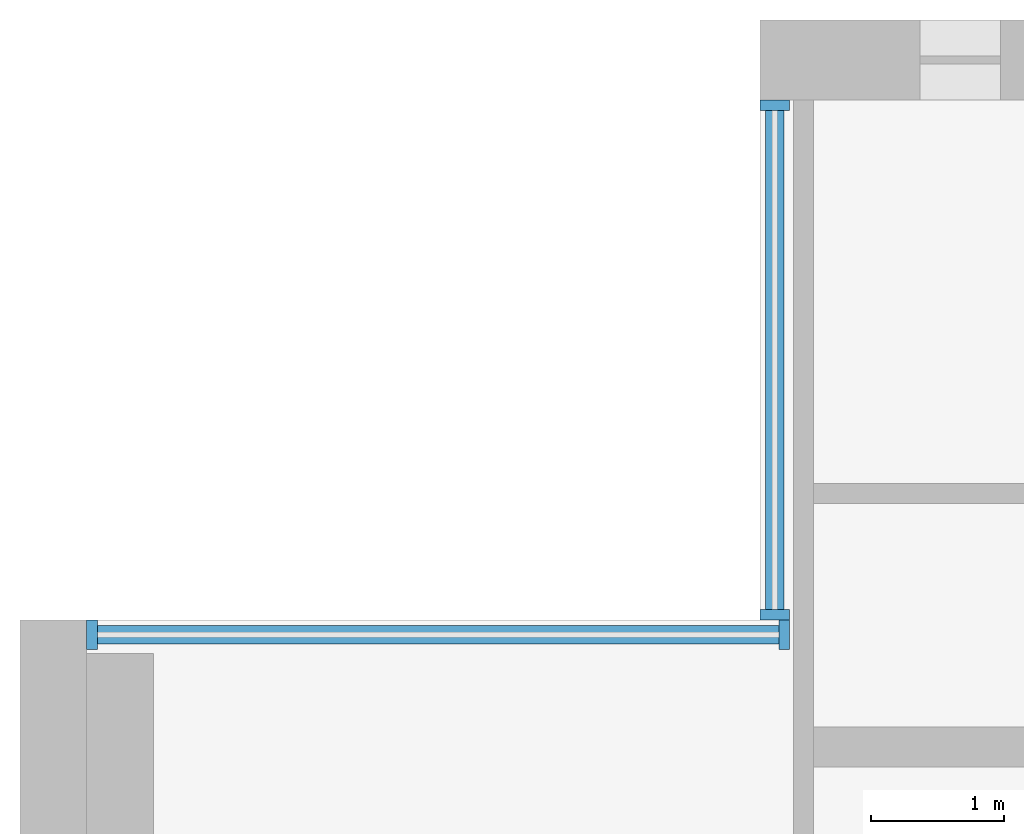
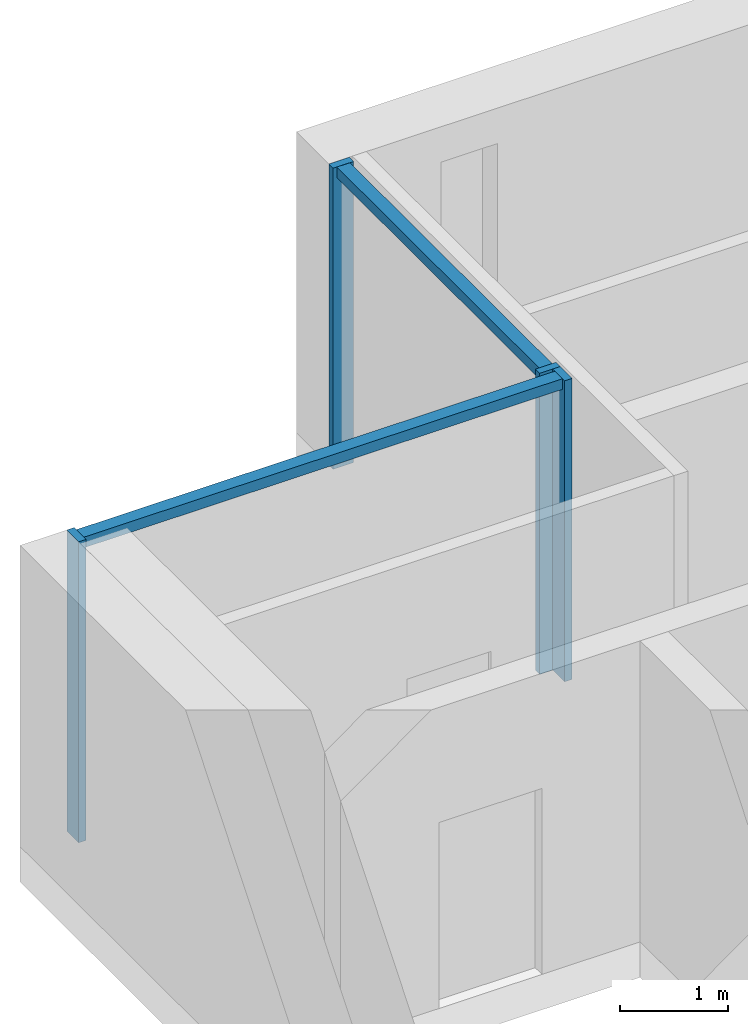
# One storey, part 4 of 14: 6 members, 2 elements without a shape of their own.
"""IFC4 building model written with IfcOpenShell, lengths in metres."""

import ifcopenshell
import ifcopenshell.guid

model = None  # the IFC model being written
_history = None  # IfcOwnerHistory: only IFC2X3 demands one
_inside = {}  # id of a spatial element -> (the spatial element, [elements in it])
_under = {}  # id of a project, library or spatial element -> (it, [spatial elements below it])
_declared = {}  # id of a project -> (the project, [libraries it declares])
_typed = {}  # id of a type object -> (the type object, [elements of that type])
_made_of = {}  # id of a material, layer set ... -> (it, [elements and type objects made of it])


def new_model(schema):
    """Start an empty IFC model of exactly this schema.

    Asked for "IFC4X3", IfcOpenShell would pick the latest addendum, in which some entities
    have other attributes; the version numbers below select the first issue.
    IFC2X3 requires an IfcOwnerHistory on every rooted entity: one is made here for all.
    """
    global model, _history
    if schema == "IFC4X3":
        model = ifcopenshell.file(schema_version=(4, 3, 0, 0))
    else:
        model = ifcopenshell.file(schema=schema)
    _inside.clear()
    _under.clear()
    _declared.clear()
    _typed.clear()
    _made_of.clear()
    _history = None
    if model.schema == "IFC2X3":
        org = make("IfcOrganization", Name="unknown")
        user = make(
            "IfcPersonAndOrganization",
            ThePerson=make("IfcPerson", FamilyName="unknown"),
            TheOrganization=org,
        )
        app = make(
            "IfcApplication",
            ApplicationDeveloper=org,
            Version="unknown",
            ApplicationFullName="unknown",
            ApplicationIdentifier="unknown",
        )
        _history = make(
            "IfcOwnerHistory",
            OwningUser=user,
            OwningApplication=app,
            ChangeAction="ADDED",
            CreationDate=0,
        )
    return model


def make(cls, **values):
    """One entity of the class cls with the attributes given. An attribute that is None is left unset."""
    return model.create_entity(
        cls, **{name: value for name, value in values.items() if value is not None}
    )


def rooted(cls, **values):
    """An entity with a GlobalId (a new one), such as an element, a storey or a relation."""
    return make(cls, GlobalId=ifcopenshell.guid.new(), OwnerHistory=_history, **values)


def si_unit(unit_type, name, prefix=None):
    """IfcSIUnit, for example si_unit("LENGTHUNIT", "METRE", prefix="MILLI")."""
    return make("IfcSIUnit", UnitType=unit_type, Prefix=prefix, Name=name)


def assignment(units):
    """IfcUnitAssignment: the units of a project."""
    return None if units is None else make("IfcUnitAssignment", Units=units)


def point(xyz):
    """IfcCartesianPoint."""
    return None if xyz is None else make("IfcCartesianPoint", Coordinates=xyz)


def direction(xyz):
    """IfcDirection."""
    return None if xyz is None else make("IfcDirection", DirectionRatios=xyz)


def frame(location, z_axis=None, x_axis=None):
    """IfcAxis2Placement3D, a coordinate frame: its origin and axes. An axis left out is left unset."""
    return make(
        "IfcAxis2Placement3D",
        Location=point(location),
        Axis=direction(z_axis),
        RefDirection=direction(x_axis),
    )


def frame_2d(location, x_axis=None):
    """IfcAxis2Placement2D, a coordinate frame in the plane: its origin and x axis."""
    return make(
        "IfcAxis2Placement2D", Location=point(location), RefDirection=direction(x_axis)
    )


def origin():
    """The frame at (0, 0, 0) with its axes left unset."""
    return frame((0.0, 0.0, 0.0))


def origin_2d():
    """The frame at (0, 0) in the plane with its x axis left unset."""
    return frame_2d((0.0, 0.0))


def place(relative_to, where):
    """IfcLocalPlacement: puts the frame where relative to a parent placement (None: the world)."""
    return make(
        "IfcLocalPlacement", PlacementRelTo=relative_to, RelativePlacement=where
    )


def context(
    kind, dimensions, precision=None, world=None, true_north=None, identifier=None
):
    """IfcGeometricRepresentationContext, for example the 3D "Model" context."""
    return make(
        "IfcGeometricRepresentationContext",
        ContextIdentifier=identifier,
        ContextType=kind,
        CoordinateSpaceDimension=dimensions,
        Precision=precision,
        WorldCoordinateSystem=world,
        TrueNorth=true_north,
    )


def subcontext(parent, identifier, kind, view, scale=None):
    """IfcGeometricRepresentationSubContext, for example "Body" below "Model"."""
    return make(
        "IfcGeometricRepresentationSubContext",
        ContextIdentifier=identifier,
        ContextType=kind,
        ParentContext=parent,
        TargetScale=scale,
        TargetView=view,
    )


def project(units=None, contexts=None):
    """IfcProject with its units and contexts."""
    return rooted(
        "IfcProject",
        Name="project",
        RepresentationContexts=contexts,
        UnitsInContext=assignment(units),
    )


def spatial(cls, under=None, at=None, **own):
    """A site, building, storey or space (cls), placed at a placement, below another one or the project."""
    s = rooted(cls, ObjectPlacement=at, **own)
    if under is not None:
        _under.setdefault(under.id(), (under, []))[1].append(s)
    return s


def profile(cls, at=None, kind="AREA", **sizes):
    """A parametric profile (cls). Its sizes go by their IFC names, for example OverallWidth=200.0."""
    return make(cls, ProfileType=kind, Position=at, **sizes)


def rectangle(**sizes):
    """IfcRectangleProfileDef."""
    return profile("IfcRectangleProfileDef", **sizes)


def extrude(swept, where, along, depth):
    """IfcExtrudedAreaSolid: the profile swept, set in the frame where, extruded along a direction by depth."""
    return make(
        "IfcExtrudedAreaSolid",
        SweptArea=swept,
        Position=where,
        ExtrudedDirection=direction(along),
        Depth=depth,
    )


def shape(context_of_items, identifier, shape_type, items):
    """IfcShapeRepresentation: the items that make up one representation, for example the "Body"."""
    return make(
        "IfcShapeRepresentation",
        ContextOfItems=context_of_items,
        RepresentationIdentifier=identifier,
        RepresentationType=shape_type,
        Items=items,
    )


def material(Name=None, Category=None):
    """IfcMaterial."""
    return make("IfcMaterial", Name=Name, Category=Category)


def material_profile(
    of_material, cross_section, Name=None, Category=None, Priority=None
):
    """IfcMaterialProfile: a cross section and its material."""
    return make(
        "IfcMaterialProfile",
        Name=Name,
        Material=of_material,
        Profile=cross_section,
        Priority=Priority,
        Category=Category,
    )


def profile_set(profiles, Name=None, composite=None):
    """IfcMaterialProfileSet."""
    return make(
        "IfcMaterialProfileSet",
        Name=Name,
        MaterialProfiles=profiles,
        CompositeProfile=composite,
    )


def made_of(thing, what):
    """Note that an element or type object is made of a material, layer set ...; save() writes the relation."""
    if what is not None:
        _made_of.setdefault(what.id(), (what, []))[1].append(thing)
    return thing


def type_object(cls, material=None, **own):
    """A type object (cls), such as IfcWallType, which elements share."""
    return made_of(rooted(cls, **own), material)


def element(
    cls,
    number,
    at=None,
    inside=None,
    cuts=None,
    type_object=None,
    material=None,
    context=None,
    identifier="Body",
    shape_type=None,
    held_by="IfcProductDefinitionShape",
    body=None,
    shapes=None,
    **own,
):
    """One element of the class cls, such as IfcWall. Its Tag is "e" and its number.

    at: its placement. inside: the storey or other place that contains it. cuts: it is an
    opening in that element (IfcRelVoidsElement). A single representation is given by context,
    identifier, shape_type and body (its items); several are given by shapes. held_by: the class
    of the entity that holds the representations. save() writes the other relations.
    """
    e = rooted(cls, Tag="e%d" % number, ObjectPlacement=at, **own)
    if body is not None:
        shapes = [shape(context, identifier, shape_type, body)]
    if shapes is not None:
        e.Representation = make(held_by, Representations=shapes)
    if inside is not None:
        _inside.setdefault(inside.id(), (inside, []))[1].append(e)
    if cuts is not None:
        rooted(
            "IfcRelVoidsElement", RelatingBuildingElement=cuts, RelatedOpeningElement=e
        )
    if type_object is not None:
        _typed.setdefault(type_object.id(), (type_object, []))[1].append(e)
    return made_of(e, material)


def aggregate(whole, parts):
    """IfcRelAggregates: a whole, such as a stair, and the parts it consists of."""
    return rooted("IfcRelAggregates", RelatingObject=whole, RelatedObjects=parts)


def save(model, path):
    """Write the relations noted so far, then the file.

    IfcRelAggregates (storeys below a building ...), IfcRelContainedInSpatialStructure (elements
    in a storey), IfcRelDefinesByType, IfcRelAssociatesMaterial and IfcRelDeclares: one each for
    every whole, place, type object, material and project.
    """
    for whole, parts in _under.values():
        aggregate(whole, parts)
    for where, things in _inside.values():
        rooted(
            "IfcRelContainedInSpatialStructure",
            RelatedElements=things,
            RelatingStructure=where,
        )
    for kind, things in _typed.values():
        rooted("IfcRelDefinesByType", RelatedObjects=things, RelatingType=kind)
    for what, things in _made_of.values():
        rooted("IfcRelAssociatesMaterial", RelatedObjects=things, RelatingMaterial=what)
    for by, libraries in _declared.values():
        rooted("IfcRelDeclares", RelatingContext=by, RelatedDefinitions=libraries)
    model.write(path)


model = new_model("IFC4")

# Units and contexts
model_context = context("Model", 3, precision=1e-05, world=origin(), true_north=direction((0.0, 1.0)))
body_context = subcontext(model_context, "Body", "Model", "MODEL_VIEW")
ifc_project = project(units=[si_unit("LENGTHUNIT", "METRE"), si_unit("AREAUNIT", "SQUARE_METRE"), si_unit("VOLUMEUNIT", "CUBIC_METRE"), si_unit("PLANEANGLEUNIT", "RADIAN"), si_unit("MASSUNIT", "GRAM", prefix="KILO")], contexts=[model_context])

# Site, building, storey
site_placement = place(None, origin())
site = spatial("IfcSite", under=ifc_project, at=site_placement, CompositionType="ELEMENT")
building_placement = place(site_placement, origin())
building = spatial("IfcBuilding", under=site, at=building_placement, Name="Calvaro Tower", CompositionType="ELEMENT")
storey_placement = place(building_placement, frame((0.0, 0.0, 235.550048828125)))
storey = spatial("IfcBuildingStorey", under=building, at=storey_placement, Name="L59", CompositionType="ELEMENT", Elevation=235.550048828125)

# Curtain wall, members
ifc_material_1 = material(Name="Anodised aluminium", Category="aluminium")
curtain_wall_type = type_object("IfcCurtainWallType", Name="Executive curtain wall", PredefinedType="NOTDEFINED", material=ifc_material_1)
curtain_wall_1_placement = place(storey_placement, origin())
curtain_wall_1 = element("IfcCurtainWall", 1, at=curtain_wall_1_placement, inside=storey, type_object=curtain_wall_type, Name="CW4 corner curtain wall", PredefinedType="NOTDEFINED")
ifc_material_2 = material(Name="Anodised aluminium", Category="aluminium")
ifc_material_profile_1 = material_profile(ifc_material_2, rectangle(XDim=0.219970703125, YDim=0.080078125, at=origin_2d()), Name="Mullion S4 80 x 220")
ifc_profile_set_1 = profile_set([ifc_material_profile_1], Name="Anodised aluminium")
member_type_1 = type_object("IfcMemberType", Name="Mullion S4 80 x 220", PredefinedType="MULLION", material=ifc_profile_set_1)
member_1_placement = place(storey_placement, frame((11.659912109375, 41.5400390625, 0.0), z_axis=(0.0, 0.0, 1.0), x_axis=(-1.0, 0.0, 0.0)))
member_1 = element("IfcMember", 2, at=member_1_placement, type_object=member_type_1, Name="CW4 mullion 1", PredefinedType="MULLION", context=body_context, shape_type="SweptSolid", body=[
    extrude(rectangle(XDim=0.219970703125, YDim=0.080078125, at=origin_2d()), origin(), (0.0, 0.0, 1.0), 3.39990234375),
])
member_2_placement = place(storey_placement, frame((11.659912109375, 45.360107421875, 0.0), z_axis=(0.0, 0.0, 1.0), x_axis=(-1.0, 0.0, 0.0)))
member_2 = element("IfcMember", 3, at=member_2_placement, type_object=member_type_1, Name="CW4 mullion 2", PredefinedType="MULLION", context=body_context, shape_type="SweptSolid", body=[
    extrude(rectangle(XDim=0.219970703125, YDim=0.080078125, at=origin_2d()), origin(), (0.0, 0.0, 1.0), 3.39990234375),
])

curtain_wall_2_placement = place(storey_placement, origin())
curtain_wall_2 = element("IfcCurtainWall", 4, at=curtain_wall_2_placement, inside=storey, type_object=curtain_wall_type, Name="CW4 corner curtain wall", PredefinedType="NOTDEFINED")
member_3_placement = place(storey_placement, frame((6.5400390625, 41.389892578125, 0.0), z_axis=(0.0, 0.0, 1.0), x_axis=(0.0, 1.0, 0.0)))
member_3 = element("IfcMember", 5, at=member_3_placement, type_object=member_type_1, Name="CW4 mullion 1", PredefinedType="MULLION", context=body_context, shape_type="SweptSolid", body=[
    extrude(rectangle(XDim=0.219970703125, YDim=0.080078125, at=origin_2d()), origin(), (0.0, 0.0, 1.0), 3.39990234375),
])
member_4_placement = place(storey_placement, frame((11.72998046875, 41.389892578125, 0.0), z_axis=(0.0, 0.0, 1.0), x_axis=(0.0, 1.0, 0.0)))
member_4 = element("IfcMember", 6, at=member_4_placement, type_object=member_type_1, Name="CW4 mullion 2", PredefinedType="MULLION", context=body_context, shape_type="SweptSolid", body=[
    extrude(rectangle(XDim=0.219970703125, YDim=0.080078125, at=origin_2d()), origin(), (0.0, 0.0, 1.0), 3.39990234375),
])

# Member
ifc_material_3 = material(Name="Anodised aluminium", Category="aluminium")
ifc_material_profile_2 = material_profile(ifc_material_3, rectangle(XDim=0.139892578125, YDim=0.1201171875, at=origin_2d()), Name="Transom S4 120 x 140")
ifc_profile_set_2 = profile_set([ifc_material_profile_2], Name="Anodised aluminium")
member_type_2 = type_object("IfcMemberType", Name="Transom S4 120 x 140", PredefinedType="USERDEFINED", material=ifc_profile_set_2)
member_5_placement = place(storey_placement, frame((11.659912109375, 41.580078125, 3.33984375), z_axis=(0.0, 1.0, 0.0), x_axis=(-1.0, 0.0, 0.0)))
member_5 = element("IfcMember", 7, at=member_5_placement, type_object=member_type_2, Name="CW4 transom 1.1", ObjectType="TRANSOM", PredefinedType="USERDEFINED", context=body_context, shape_type="SweptSolid", body=[
    extrude(rectangle(XDim=0.139892578125, YDim=0.1201171875, at=origin_2d()), origin(), (0.0, 0.0, 1.0), 3.739990234375),
])

aggregate(curtain_wall_1, [member_1, member_2, member_5])

member_6_placement = place(storey_placement, frame((6.580078125, 41.389892578125, 3.33984375), z_axis=(1.0, 0.0, 0.0), x_axis=(0.0, 1.0, 0.0)))
member_6 = element("IfcMember", 8, at=member_6_placement, type_object=member_type_2, Name="CW4 transom 1.1", ObjectType="TRANSOM", PredefinedType="USERDEFINED", context=body_context, shape_type="SweptSolid", body=[
    extrude(rectangle(XDim=0.139892578125, YDim=0.1201171875, at=origin_2d()), origin(), (0.0, 0.0, 1.0), 5.10986328125),
])

aggregate(curtain_wall_2, [member_3, member_4, member_6])

save(model, "model.ifc")
